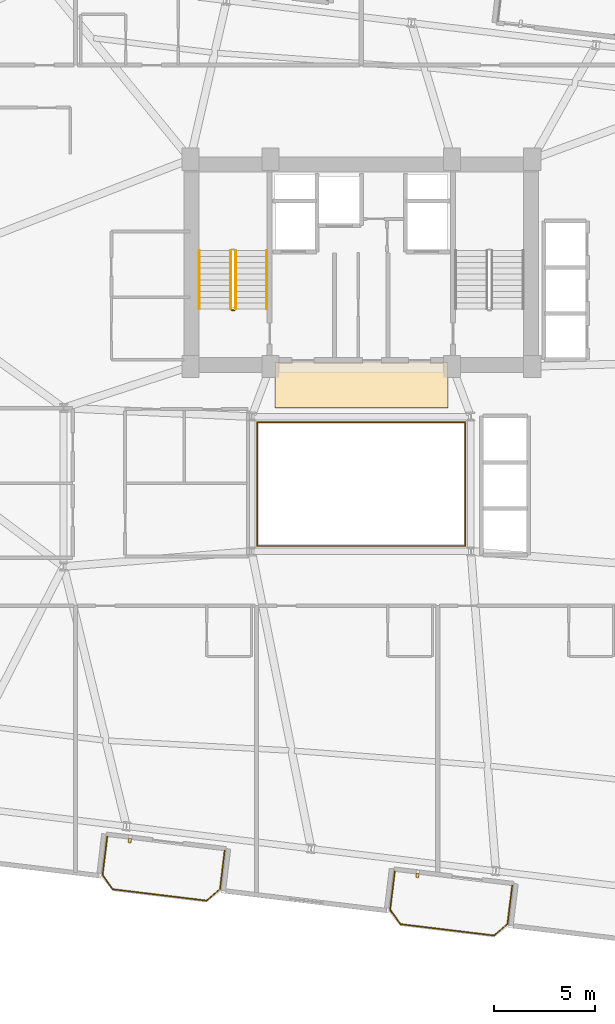
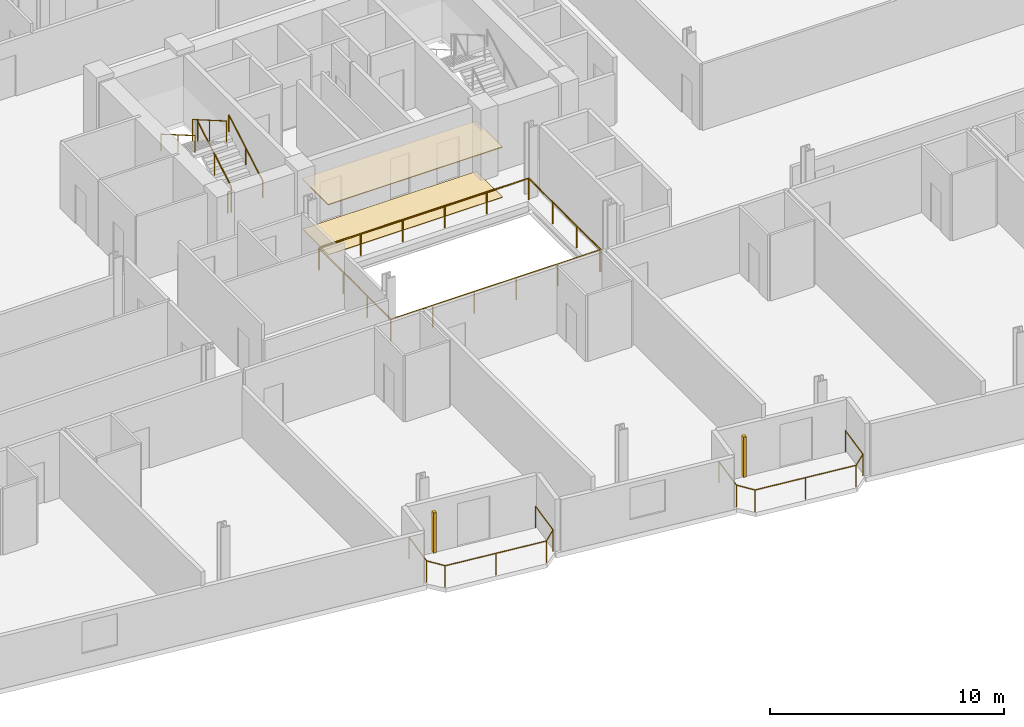
# One storey, part 25 of 26: 9 railings, 2 coverings, 2 shading devices.
"""IFC4 building model written with IfcOpenShell, lengths in metres."""

from ifc_helpers import new_model, si_unit, direction, frame, origin, origin_2d, place, context, subcontext, project, spatial, rectangle, circle, extrude, source, transform, mapped, material, layer, layer_set, type_object, element, save


model = new_model("IFC4")

# Units and contexts
model_context = context("Model", 3, precision=1e-05, world=origin(), true_north=direction((0.0, 1.0)))
body_context = subcontext(model_context, "Body", "Model", "MODEL_VIEW")
ifc_project = project(units=[si_unit("LENGTHUNIT", "METRE"), si_unit("AREAUNIT", "SQUARE_METRE"), si_unit("VOLUMEUNIT", "CUBIC_METRE"), si_unit("PLANEANGLEUNIT", "RADIAN"), si_unit("MASSUNIT", "GRAM", prefix="KILO")], contexts=[model_context])

# Site, building, storey
site_placement = place(None, origin())
site = spatial("IfcSite", under=ifc_project, at=site_placement, CompositionType="ELEMENT")
building_placement = place(site_placement, origin())
building = spatial("IfcBuilding", under=site, at=building_placement, Name="Varnelok Gate Tower", CompositionType="ELEMENT")
storey_placement = place(building_placement, frame((0.0, 0.0, 143.89990234375)))
storey = spatial("IfcBuildingStorey", under=building, at=storey_placement, Name="L36", CompositionType="ELEMENT", Elevation=143.89990234375)

# Railings
ifc_material_1 = material(Name="Tempered Laminated Balustrade Glass", Category="glass")
railing_type_1 = type_object("IfcRailingType", Name="RL-ATR-GUARD1150", PredefinedType="GUARDRAIL", material=ifc_material_1)
railing_1_placement = place(storey_placement, frame((34.02001953125, 25.929931640625, 0.0)))
element("IfcRailing", 1, at=railing_1_placement, inside=storey, type_object=railing_type_1, Name="L36 Internal Atrium South-West Guardrail", PredefinedType="GUARDRAIL", context=body_context, shape_type="SweptSolid", body=[
    extrude(circle(Radius=0.02392578125, at=origin_2d()), frame((0.0, 0.0, 1.1259765625), z_axis=(0.0, -1.0, 0.0), x_axis=(1.0, 0.0, 0.0)), (0.0, 0.0, 1.0), 6.10986328125),
    extrude(circle(Radius=0.02392578125, at=origin_2d()), frame((0.0, -6.10986328125, 1.1259765625), z_axis=(1.0, 0.0, 0.0), x_axis=(0.0, 1.0, 0.0)), (0.0, 0.0, 1.0), 10.31005859375),
    extrude(circle(Radius=0.02099609375, at=origin_2d()), origin(), (0.0, 0.0, 1.0), 1.101806640625),
    extrude(circle(Radius=0.02099609375, at=origin_2d()), frame((0.0, -2.03662109375, 0.0)), (0.0, 0.0, 1.0), 1.101806640625),
    extrude(circle(Radius=0.02099609375, at=origin_2d()), frame((0.0, -4.0732421875, 0.0)), (0.0, 0.0, 1.0), 1.101806640625),
    extrude(circle(Radius=0.02099609375, at=origin_2d()), frame((0.0, -6.10986328125, 0.0)), (0.0, 0.0, 1.0), 1.101806640625),
    extrude(circle(Radius=0.02099609375, at=origin_2d()), frame((2.06201171875, -6.10986328125, 0.0)), (0.0, 0.0, 1.0), 1.101806640625),
    extrude(circle(Radius=0.02099609375, at=origin_2d()), frame((4.1240234375, -6.10986328125, 0.0)), (0.0, 0.0, 1.0), 1.101806640625),
    extrude(circle(Radius=0.02099609375, at=origin_2d()), frame((6.18603515625, -6.10986328125, 0.0)), (0.0, 0.0, 1.0), 1.101806640625),
    extrude(circle(Radius=0.02099609375, at=origin_2d()), frame((8.248046875, -6.10986328125, 0.0)), (0.0, 0.0, 1.0), 1.101806640625),
    extrude(circle(Radius=0.02099609375, at=origin_2d()), frame((10.31005859375, -6.10986328125, 0.0)), (0.0, 0.0, 1.0), 1.101806640625),
])
railing_2_placement = place(storey_placement, frame((44.3798828125, 19.820068359375, 0.0)))
element("IfcRailing", 2, at=railing_2_placement, inside=storey, type_object=railing_type_1, Name="L36 Internal Atrium North-East Guardrail", PredefinedType="GUARDRAIL", context=body_context, shape_type="SweptSolid", body=[
    extrude(circle(Radius=0.02392578125, at=origin_2d()), frame((0.0, 0.0, 1.1259765625), z_axis=(0.0, 1.0, 0.0), x_axis=(-1.0, 0.0, 0.0)), (0.0, 0.0, 1.0), 6.159912109375),
    extrude(circle(Radius=0.02392578125, at=origin_2d()), frame((0.0, 6.159912109375, 1.1259765625), z_axis=(-1.0, 0.0, 0.0), x_axis=(0.0, -1.0, 0.0)), (0.0, 0.0, 1.0), 10.35986328125),
    extrude(circle(Radius=0.02099609375, at=origin_2d()), origin(), (0.0, 0.0, 1.0), 1.101806640625),
    extrude(circle(Radius=0.02099609375, at=origin_2d()), frame((0.0, 2.05322265625, 0.0)), (0.0, 0.0, 1.0), 1.101806640625),
    extrude(circle(Radius=0.02099609375, at=origin_2d()), frame((0.0, 4.106689453125, 0.0)), (0.0, 0.0, 1.0), 1.101806640625),
    extrude(circle(Radius=0.02099609375, at=origin_2d()), frame((0.0, 6.159912109375, 0.0)), (0.0, 0.0, 1.0), 1.101806640625),
    extrude(circle(Radius=0.02099609375, at=origin_2d()), frame((-2.072021484375, 6.159912109375, 0.0)), (0.0, 0.0, 1.0), 1.101806640625),
    extrude(circle(Radius=0.02099609375, at=origin_2d()), frame((-4.14404296875, 6.159912109375, 0.0)), (0.0, 0.0, 1.0), 1.101806640625),
    extrude(circle(Radius=0.02099609375, at=origin_2d()), frame((-6.2158203125, 6.159912109375, 0.0)), (0.0, 0.0, 1.0), 1.101806640625),
    extrude(circle(Radius=0.02099609375, at=origin_2d()), frame((-8.287841796875, 6.159912109375, 0.0)), (0.0, 0.0, 1.0), 1.101806640625),
    extrude(circle(Radius=0.02099609375, at=origin_2d()), frame((-10.35986328125, 6.159912109375, 0.0)), (0.0, 0.0, 1.0), 1.101806640625),
])
ifc_material_2 = material(Name="Low-E Laminated Double Glazing IGU", Category="glass")
railing_type_2 = type_object("IfcRailingType", Name="RL-BALC-1150", PredefinedType="BALUSTRADE", material=ifc_material_2)
railing_3_placement = place(storey_placement, frame((26.5703125, 5.375, 0.0)))
element("IfcRailing", 3, at=railing_3_placement, inside=storey, type_object=railing_type_2, Name="L36 South Terrace Balustrade 1", PredefinedType="BALUSTRADE", context=body_context, shape_type="SweptSolid", body=[
    extrude(circle(Radius=0.02392578125, at=origin_2d()), frame((0.0, 0.0, 1.1259765625), z_axis=(-0.120293392036, -0.992738384386, 0.0), x_axis=(0.992738384386, -0.120293392036, 0.0)), (0.0, 0.0, 1.0), 1.919921875),
    extrude(circle(Radius=0.02392578125, at=origin_2d()), frame((-0.23095703125, -1.906005859375, 1.1259765625), z_axis=(0.577971037086, -0.816057277579, 0.0), x_axis=(0.816057277579, 0.577971037086, 0.0)), (0.0, 0.0, 1.0), 0.877685546875),
    extrude(circle(Radius=0.02392578125, at=origin_2d()), frame((0.2763671875, -2.622314453125, 1.1259765625), z_axis=(0.992737542139, -0.120300342591, 0.0), x_axis=(0.120300342591, 0.992737542139, 0.0)), (0.0, 0.0, 1.0), 4.7001953125),
    extrude(circle(Radius=0.02392578125, at=origin_2d()), frame((4.9423828125, -3.187744140625, 1.1259765625), z_axis=(0.756303655992, 0.654220742513, 0.0), x_axis=(-0.654220742513, 0.756303655992, 0.0)), (0.0, 0.0, 1.0), 0.877685546875),
    extrude(circle(Radius=0.02392578125, at=origin_2d()), frame((5.606201171875, -2.613525390625, 1.1259765625), z_axis=(0.120418709125, 0.992723191274, 0.0), x_axis=(-0.992723191274, 0.120418709125, 0.0)), (0.0, 0.0, 1.0), 1.919921875),
    extrude(circle(Radius=0.02099609375, at=origin_2d()), origin(), (0.0, 0.0, 1.0), 1.101806640625),
    extrude(circle(Radius=0.02099609375, at=origin_2d()), frame((-0.23095703125, -1.906005859375, 0.0)), (0.0, 0.0, 1.0), 1.101806640625),
    extrude(circle(Radius=0.02099609375, at=origin_2d()), frame((0.2763671875, -2.622314453125, 0.0)), (0.0, 0.0, 1.0), 1.101806640625),
    extrude(circle(Radius=0.02099609375, at=origin_2d()), frame((2.609375, -2.905029296875, 0.0)), (0.0, 0.0, 1.0), 1.101806640625),
    extrude(circle(Radius=0.02099609375, at=origin_2d()), frame((4.9423828125, -3.187744140625, 0.0)), (0.0, 0.0, 1.0), 1.101806640625),
    extrude(circle(Radius=0.02099609375, at=origin_2d()), frame((5.606201171875, -2.613525390625, 0.0)), (0.0, 0.0, 1.0), 1.101806640625),
    extrude(circle(Radius=0.02099609375, at=origin_2d()), frame((5.83740234375, -0.70751953125, 0.0)), (0.0, 0.0, 1.0), 1.101806640625),
])
railing_4_placement = place(storey_placement, frame((40.86572265625, 3.64208984375, 0.0)))
element("IfcRailing", 4, at=railing_4_placement, inside=storey, type_object=railing_type_2, Name="L36 South Terrace Balustrade 2", PredefinedType="BALUSTRADE", context=body_context, shape_type="SweptSolid", body=[
    extrude(circle(Radius=0.02392578125, at=origin_2d()), frame((0.0, 0.0, 1.1259765625), z_axis=(-0.120418709125, -0.992723191274, 0.0), x_axis=(0.992723191274, -0.120418709125, 0.0)), (0.0, 0.0, 1.0), 1.919921875),
    extrude(circle(Radius=0.02392578125, at=origin_2d()), frame((-0.231201171875, -1.906005859375, 1.1259765625), z_axis=(0.57815621837, -0.815926091726, 0.0), x_axis=(0.815926091726, 0.57815621837, 0.0)), (0.0, 0.0, 1.0), 0.8779296875),
    extrude(circle(Radius=0.02392578125, at=origin_2d()), frame((0.2763671875, -2.622314453125, 1.1259765625), z_axis=(0.99273133746, -0.120351533534, 0.0), x_axis=(0.120351533534, 0.99273133746, 0.0)), (0.0, 0.0, 1.0), 4.7001953125),
    extrude(circle(Radius=0.02392578125, at=origin_2d()), frame((4.9423828125, -3.18798828125, 1.1259765625), z_axis=(0.756166036083, 0.654379802465, 0.0), x_axis=(-0.654379802465, 0.756166036083, 0.0)), (0.0, 0.0, 1.0), 0.8779296875),
    extrude(circle(Radius=0.02392578125, at=origin_2d()), frame((5.606201171875, -2.613525390625, 1.1259765625), z_axis=(0.120293392036, 0.992738384386, 0.0), x_axis=(-0.992738384386, 0.120293392036, 0.0)), (0.0, 0.0, 1.0), 1.919921875),
    extrude(circle(Radius=0.02099609375, at=origin_2d()), origin(), (0.0, 0.0, 1.0), 1.101806640625),
    extrude(circle(Radius=0.02099609375, at=origin_2d()), frame((-0.231201171875, -1.906005859375, 0.0)), (0.0, 0.0, 1.0), 1.101806640625),
    extrude(circle(Radius=0.02099609375, at=origin_2d()), frame((0.2763671875, -2.622314453125, 0.0)), (0.0, 0.0, 1.0), 1.101806640625),
    extrude(circle(Radius=0.02099609375, at=origin_2d()), frame((2.609375, -2.9052734375, 0.0)), (0.0, 0.0, 1.0), 1.101806640625),
    extrude(circle(Radius=0.02099609375, at=origin_2d()), frame((4.9423828125, -3.18798828125, 0.0)), (0.0, 0.0, 1.0), 1.101806640625),
    extrude(circle(Radius=0.02099609375, at=origin_2d()), frame((5.606201171875, -2.613525390625, 0.0)), (0.0, 0.0, 1.0), 1.101806640625),
    extrude(circle(Radius=0.02099609375, at=origin_2d()), frame((5.837158203125, -0.70751953125, 0.0)), (0.0, 0.0, 1.0), 1.101806640625),
])
ifc_material_3 = material(Name="Brushed Stainless Steel AISI 316", Category="steel")
railing_type_3 = type_object("IfcRailingType", Name="RL-HANDRAIL-900", PredefinedType="HANDRAIL", material=ifc_material_3)
railing_5_placement = place(storey_placement, frame((34.5, 31.60009765625, 0.168212890625)))
element("IfcRailing", 5, at=railing_5_placement, inside=storey, type_object=railing_type_3, Name="L36 ST-1 stair handrail 1", PredefinedType="HANDRAIL", context=body_context, shape_type="SweptSolid", body=[
    extrude(circle(Radius=0.02392578125, at=origin_2d()), frame((0.0, 0.0, 0.8759765625), z_axis=(0.0, 0.865038774852, 0.501705010941), x_axis=(-1.0, 0.0, 0.0)), (0.0, 0.0, 1.0), 3.352294921875),
    extrude(circle(Radius=0.02099609375, at=origin_2d()), origin(), (0.0, 0.0, 1.0), 0.851806640625),
    extrude(circle(Radius=0.02099609375, at=origin_2d()), frame((0.0, 1.449951171875, 0.8408203125)), (0.0, 0.0, 1.0), 0.851806640625),
    extrude(circle(Radius=0.02099609375, at=origin_2d()), frame((0.0, 2.89990234375, 1.681884765625)), (0.0, 0.0, 1.0), 0.851806640625),
])
railing_6_placement = place(storey_placement, frame((31.14990234375, 34.5, 2.018310546875)))
element("IfcRailing", 6, at=railing_6_placement, inside=storey, type_object=railing_type_3, Name="L36 ST-1 stair handrail 2", PredefinedType="HANDRAIL", context=body_context, shape_type="SweptSolid", body=[
    extrude(circle(Radius=0.02392578125, at=origin_2d()), frame((0.0, 0.0, 0.8759765625), z_axis=(0.0, -0.865038774852, 0.501705010941), x_axis=(1.0, 0.0, 0.0)), (0.0, 0.0, 1.0), 3.352294921875),
    extrude(circle(Radius=0.02099609375, at=origin_2d()), origin(), (0.0, 0.0, 1.0), 0.851806640625),
    extrude(circle(Radius=0.02099609375, at=origin_2d()), frame((0.0, -1.449951171875, 0.8408203125)), (0.0, 0.0, 1.0), 0.851806640625),
    extrude(circle(Radius=0.02099609375, at=origin_2d()), frame((0.0, -2.89990234375, 1.681884765625)), (0.0, 0.0, 1.0), 0.851806640625),
])
ifc_material_4 = material(Name="Galvanized Steel Grade S350GD", Category="steel")
railing_type_4 = type_object("IfcRailingType", Name="RL-STAIR-GUARD1120", PredefinedType="GUARDRAIL", material=ifc_material_4)
railing_7_placement = place(storey_placement, frame((32.949951171875, 31.60009765625, 0.168212890625)))
element("IfcRailing", 7, at=railing_7_placement, inside=storey, type_object=railing_type_4, Name="L36 ST-1 stair guard 1", PredefinedType="GUARDRAIL", context=body_context, shape_type="SweptSolid", body=[
    extrude(circle(Radius=0.02392578125, at=origin_2d()), frame((0.0, 0.0, 1.09619140625), z_axis=(0.0, 0.865038774852, 0.501705010941), x_axis=(-1.0, 0.0, 0.0)), (0.0, 0.0, 1.0), 3.352294921875),
    extrude(circle(Radius=0.02099609375, at=origin_2d()), origin(), (0.0, 0.0, 1.0), 1.072021484375),
    extrude(circle(Radius=0.02099609375, at=origin_2d()), frame((0.0, 1.449951171875, 0.8408203125)), (0.0, 0.0, 1.0), 1.072021484375),
    extrude(circle(Radius=0.02099609375, at=origin_2d()), frame((0.0, 2.89990234375, 1.681884765625)), (0.0, 0.0, 1.0), 1.072021484375),
])
railing_8_placement = place(storey_placement, frame((32.699951171875, 34.5, 2.018310546875)))
element("IfcRailing", 8, at=railing_8_placement, inside=storey, type_object=railing_type_4, Name="L36 ST-1 stair guard 3", PredefinedType="GUARDRAIL", context=body_context, shape_type="SweptSolid", body=[
    extrude(circle(Radius=0.02392578125, at=origin_2d()), frame((0.0, 0.0, 1.09619140625), z_axis=(0.0, -0.865038774852, 0.501705010941), x_axis=(1.0, 0.0, 0.0)), (0.0, 0.0, 1.0), 3.352294921875),
    extrude(circle(Radius=0.02099609375, at=origin_2d()), origin(), (0.0, 0.0, 1.0), 1.072021484375),
    extrude(circle(Radius=0.02099609375, at=origin_2d()), frame((0.0, -1.449951171875, 0.8408203125)), (0.0, 0.0, 1.0), 1.072021484375),
    extrude(circle(Radius=0.02099609375, at=origin_2d()), frame((0.0, -2.89990234375, 1.681884765625)), (0.0, 0.0, 1.0), 1.072021484375),
])
railing_9_placement = place(storey_placement, frame((32.89990234375, 31.550048828125, 0.0)))
element("IfcRailing", 9, at=railing_9_placement, inside=storey, type_object=railing_type_4, Name="L36 ST-1 stair guard 4", PredefinedType="GUARDRAIL", context=body_context, shape_type="SweptSolid", body=[
    extrude(circle(Radius=0.02392578125, at=origin_2d()), frame((0.0, 0.0, 1.09619140625), z_axis=(-1.0, 0.0, 0.0), x_axis=(0.0, -1.0, 0.0)), (0.0, 0.0, 1.0), 0.14990234375),
    extrude(circle(Radius=0.02099609375, at=origin_2d()), origin(), (0.0, 0.0, 1.0), 1.072021484375),
    extrude(circle(Radius=0.02099609375, at=origin_2d()), frame((-0.14990234375, 0.0, 0.0)), (0.0, 0.0, 1.0), 1.072021484375),
])

# Shading devices
ifc_material_5 = material(Name="Glazed Architectural Terracotta Ceramic", Category="masonry")
shading_device_type = type_object("IfcShadingDeviceType", Name="SHD-TERRA-BAGUETTE", PredefinedType="USERDEFINED", material=ifc_material_5)
shared_shape_1 = source(origin(), body_context, "Body", "SweptSolid", [
    extrude(rectangle(XDim=0.139892578125, YDim=0.219970703125, at=origin_2d()), origin(), (0.0, 0.0, 1.0), 2.10009765625),
])
for number, where, z_axis, x_axis, name in (
    (10, (27.693603515625, 5.16845703125, 0.10009765625), (0.0, 0.0, 1.0), (0.992732158755, -0.12034475881, 0.0), "L36 Terracotta Ceramic Baguette Sunscreen 1.1"),
    (11, (41.989013671875, 3.435546875, 0.10009765625), (0.0, 0.0, 1.0), (0.992732158755, -0.12034475881, 0.0), "L36 Terracotta Ceramic Baguette Sunscreen 2.1"),
):
    element("IfcShadingDevice", number, at=place(storey_placement, frame(where, z_axis=z_axis, x_axis=x_axis)), inside=storey, type_object=shading_device_type, Name=name, ObjectType="BAGUETTE", PredefinedType="USERDEFINED", context=body_context, shape_type="MappedRepresentation", body=[
        mapped(shared_shape_1, transform((0.0, 0.0, 0.0), scale=1.0)),
    ])

# Coverings
ifc_material_6 = material(Name="Honed Travertine Stone Flooring", Category="masonry")
ifc_layer_1 = layer(ifc_material_6, 0.02490234375)
ifc_layer_set_1 = layer_set([ifc_layer_1], Name="Honed Travertine Stone Flooring")
covering_type_1 = type_object("IfcCoveringType", Name="COV-FLOR-STONE", PredefinedType="FLOORING", material=ifc_layer_set_1)
shared_shape_2 = source(origin(), body_context, "Body", "SweptSolid", [
    extrude(rectangle(XDim=8.60009765625, YDim=2.219970703125, at=origin_2d()), origin(), (0.0, 0.0, 1.0), 0.02490234375),
])
covering_1_placement = place(storey_placement, frame((39.199951171875, 27.800048828125, 0.000244140625), z_axis=(0.0, 0.0, 1.0), x_axis=(1.0, 0.0, 0.0)))
element("IfcCovering", 12, at=covering_1_placement, inside=storey, type_object=covering_type_1, Name="L36 Core Gallery Stone Flooring", PredefinedType="FLOORING", context=body_context, shape_type="MappedRepresentation", body=[
    mapped(shared_shape_2, transform((0.0, 0.0, 0.0), scale=1.0)),
])
ifc_material_7 = material(Name="Mineral Fiber Acoustic Ceiling Tile")
ifc_layer_2 = layer(ifc_material_7, 0.0400390625)
ifc_layer_set_2 = layer_set([ifc_layer_2], Name="Mineral Fiber Acoustic Ceiling Tile")
covering_type_2 = type_object("IfcCoveringType", Name="COV-CEIL-ACOUST", PredefinedType="CEILING", material=ifc_layer_set_2)
shared_shape_3 = source(origin(), body_context, "Body", "SweptSolid", [
    extrude(rectangle(XDim=8.60009765625, YDim=2.239990234375, at=origin_2d()), origin(), (0.0, 0.0, 1.0), 0.0400390625),
])
covering_2_placement = place(storey_placement, frame((39.199951171875, 27.820068359375, 2.60009765625), z_axis=(0.0, 0.0, 1.0), x_axis=(1.0, 0.0, 0.0)))
element("IfcCovering", 13, at=covering_2_placement, inside=storey, type_object=covering_type_2, Name="L36 Core Gallery Acoustic Ceiling", PredefinedType="CEILING", context=body_context, shape_type="MappedRepresentation", body=[
    mapped(shared_shape_3, transform((0.0, 0.0, 0.0), scale=1.0)),
])

save(model, "model.ifc")
